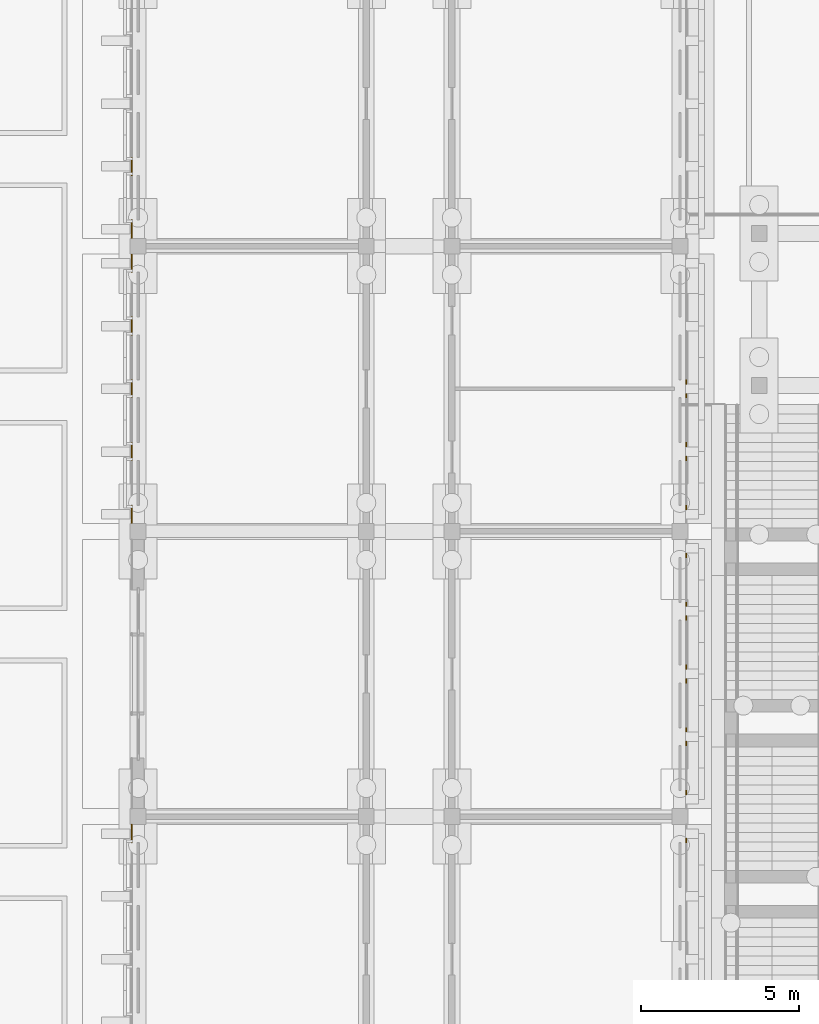
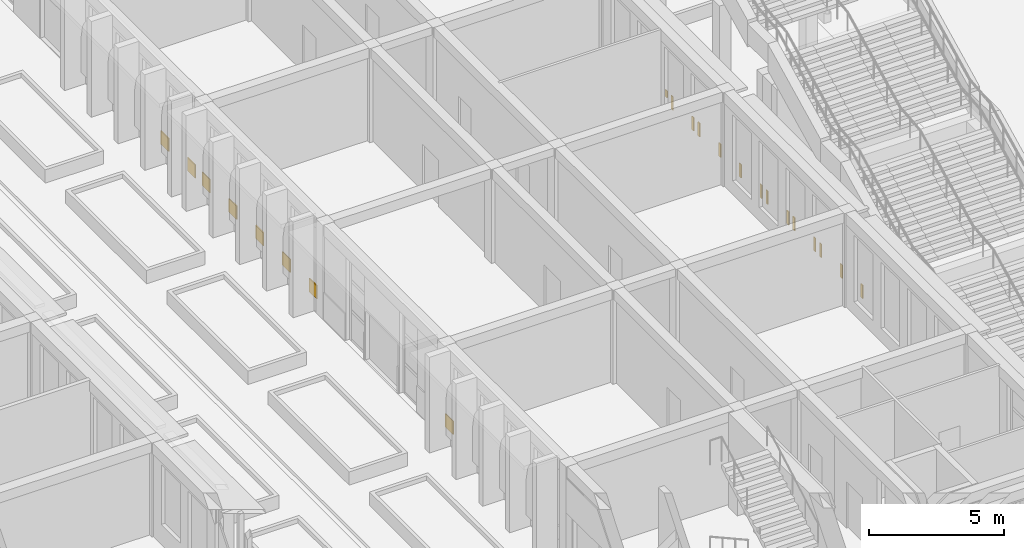
# One storey, part 158 of 161: 22 coverings.
"""IFC4 building model written with IfcOpenShell, lengths in metres."""

from ifc_helpers import new_model, si_unit, direction, frame, origin, origin_2d, place, context, subcontext, project, spatial, rectangle, extrude, material, layer, layer_set, type_object, element, save


model = new_model("IFC4")

# Units and contexts
model_context = context("Model", 3, precision=1e-05, world=origin(), true_north=direction((0.0, 1.0)))
body_context = subcontext(model_context, "Body", "Model", "MODEL_VIEW")
ifc_project = project(units=[si_unit("LENGTHUNIT", "METRE"), si_unit("AREAUNIT", "SQUARE_METRE"), si_unit("VOLUMEUNIT", "CUBIC_METRE"), si_unit("PLANEANGLEUNIT", "RADIAN"), si_unit("MASSUNIT", "GRAM", prefix="KILO")], contexts=[model_context])

# Site, building, storey
site_placement = place(None, origin())
site = spatial("IfcSite", under=ifc_project, at=site_placement, CompositionType="ELEMENT")
building_placement = place(site_placement, origin())
building = spatial("IfcBuilding", under=site, at=building_placement, Name="Elbe Cascade School", CompositionType="ELEMENT")
storey_placement = place(building_placement, origin())
storey = spatial("IfcBuildingStorey", under=building, at=storey_placement, Name="L00", CompositionType="ELEMENT", Elevation=0.0)

# Coverings
ifc_material = material(Name="Sandstone - red", Category="masonry")
ifc_layer = layer(ifc_material, 0.0400390625)
ifc_layer_set = layer_set([ifc_layer], Name="Sandstone - red")
covering_type = type_object("IfcCoveringType", Name="Bars envelope Sandstone cladding, red, 40 mm", PredefinedType="CLADDING", material=ifc_layer_set)
for number, where, z_axis, x_axis, name in (
    (1, (157.60009765625, 23.4599609375, 0.599853515625), (0.0, 0.0, 1.0), (0.0, 1.0, 0.0), "Sandstone cladding CV48 D.L00.w.2.6"),
    (2, (157.60009765625, 33.5400390625, 0.599853515625), (0.0, 0.0, 1.0), (0.0, 1.0, 0.0), "Sandstone cladding CV48 D.L00.w.4.2"),
    (3, (157.60009765625, 35.52001953125, 0.599853515625), (0.0, 0.0, 1.0), (0.0, 1.0, 0.0), "Sandstone cladding CV48 D.L00.w.4.3"),
    (4, (157.60009765625, 37.5, 0.599853515625), (0.0, 0.0, 1.0), (0.0, 1.0, 0.0), "Sandstone cladding CV48 D.L00.w.4.4"),
    (5, (157.60009765625, 39.47998046875, 0.599853515625), (0.0, 0.0, 1.0), (0.0, 1.0, 0.0), "Sandstone cladding CV48 D.L00.w.4.5"),
    (6, (157.60009765625, 41.4599609375, 0.599853515625), (0.0, 0.0, 1.0), (0.0, 1.0, 0.0), "Sandstone cladding CV48 D.L00.w.4.6"),
    (7, (157.60009765625, 42.5400390625, 0.599853515625), (0.0, 0.0, 1.0), (0.0, 1.0, 0.0), "Sandstone cladding CV48 D.L00.w.5.2"),
    (8, (157.60009765625, 44.52001953125, 0.599853515625), (0.0, 0.0, 1.0), (0.0, 1.0, 0.0), "Sandstone cladding CV48 D.L00.w.5.3"),
):
    element("IfcCovering", number, at=place(storey_placement, frame(where, z_axis=z_axis, x_axis=x_axis)), inside=storey, type_object=covering_type, Name=name, PredefinedType="CLADDING", context=body_context, shape_type="SweptSolid", body=[
        extrude(rectangle(XDim=0.580078125, YDim=0.0400390625, at=origin_2d()), origin(), (0.0, 0.0, 1.0), 0.60009765625),
    ])
for number, where, z_axis, x_axis, name in (
    (9, (175.10009765625, 23.239990234375, 0.599853515625), (0.0, 0.0, 1.0), (0.0, 1.0, 0.0), "Sandstone cladding CV48 D.L00.e.2.14"),
    (10, (175.10009765625, 24.760009765625, 0.599853515625), (0.0, 0.0, 1.0), (0.0, 1.0, 0.0), "Sandstone cladding CV48 D.L00.e.3.7"),
    (11, (175.10009765625, 26.300048828125, 0.599853515625), (0.0, 0.0, 1.0), (0.0, 1.0, 0.0), "Sandstone cladding CV48 D.L00.e.3.8"),
    (12, (175.10009765625, 26.739990234375, 0.599853515625), (0.0, 0.0, 1.0), (0.0, 1.0, 0.0), "Sandstone cladding CV48 D.L00.e.3.9"),
    (13, (175.10009765625, 28.280029296875, 0.599853515625), (0.0, 0.0, 1.0), (0.0, 1.0, 0.0), "Sandstone cladding CV48 D.L00.e.3.10"),
    (14, (175.10009765625, 28.719970703125, 0.599853515625), (0.0, 0.0, 1.0), (0.0, 1.0, 0.0), "Sandstone cladding CV48 D.L00.e.3.11"),
    (15, (175.10009765625, 30.260009765625, 0.599853515625), (0.0, 0.0, 1.0), (0.0, 1.0, 0.0), "Sandstone cladding CV48 D.L00.e.3.12"),
    (16, (175.10009765625, 30.699951171875, 0.599853515625), (0.0, 0.0, 1.0), (0.0, 1.0, 0.0), "Sandstone cladding CV48 D.L00.e.3.13"),
    (17, (175.10009765625, 32.239990234375, 0.599853515625), (0.0, 0.0, 1.0), (0.0, 1.0, 0.0), "Sandstone cladding CV48 D.L00.e.3.14"),
    (18, (175.10009765625, 33.760009765625, 0.599853515625), (0.0, 0.0, 1.0), (0.0, 1.0, 0.0), "Sandstone cladding CV48 D.L00.e.4.7"),
    (19, (175.10009765625, 35.300048828125, 0.599853515625), (0.0, 0.0, 1.0), (0.0, 1.0, 0.0), "Sandstone cladding CV48 D.L00.e.4.8"),
    (20, (175.10009765625, 35.739990234375, 0.599853515625), (0.0, 0.0, 1.0), (0.0, 1.0, 0.0), "Sandstone cladding CV48 D.L00.e.4.9"),
    (21, (175.10009765625, 37.280029296875, 0.599853515625), (0.0, 0.0, 1.0), (0.0, 1.0, 0.0), "Sandstone cladding CV48 D.L00.e.4.10"),
):
    element("IfcCovering", number, at=place(storey_placement, frame(where, z_axis=z_axis, x_axis=x_axis)), inside=storey, type_object=covering_type, Name=name, PredefinedType="CLADDING", context=body_context, shape_type="SweptSolid", body=[
        extrude(rectangle(XDim=0.139892578125, YDim=0.0400390625, at=origin_2d()), origin(), (0.0, 0.0, 1.0), 0.60009765625),
    ])
covering_placement = place(storey_placement, frame((175.10009765625, 37.719970703125, 0.89990234375), z_axis=(0.0, 0.0, 1.0), x_axis=(0.0, 1.0, 0.0)))
element("IfcCovering", 22, at=covering_placement, inside=storey, type_object=covering_type, Name="Sandstone cladding CV48 D.L00.e.4.11", PredefinedType="CLADDING", context=body_context, shape_type="SweptSolid", body=[
    extrude(rectangle(XDim=0.139892578125, YDim=0.0400390625, at=origin_2d()), origin(), (0.0, 0.0, 1.0), 0.300048828125),
])

save(model, "model.ifc")
